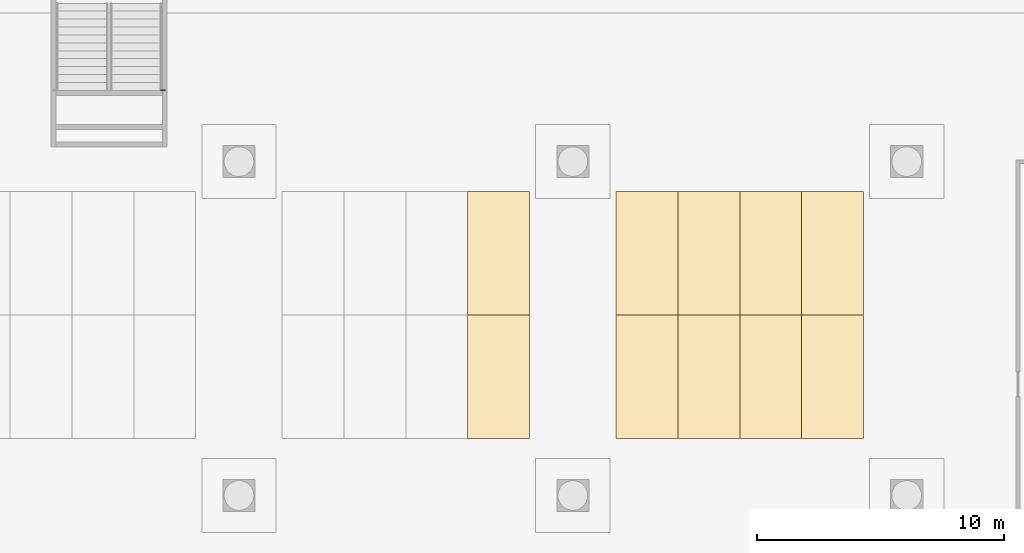
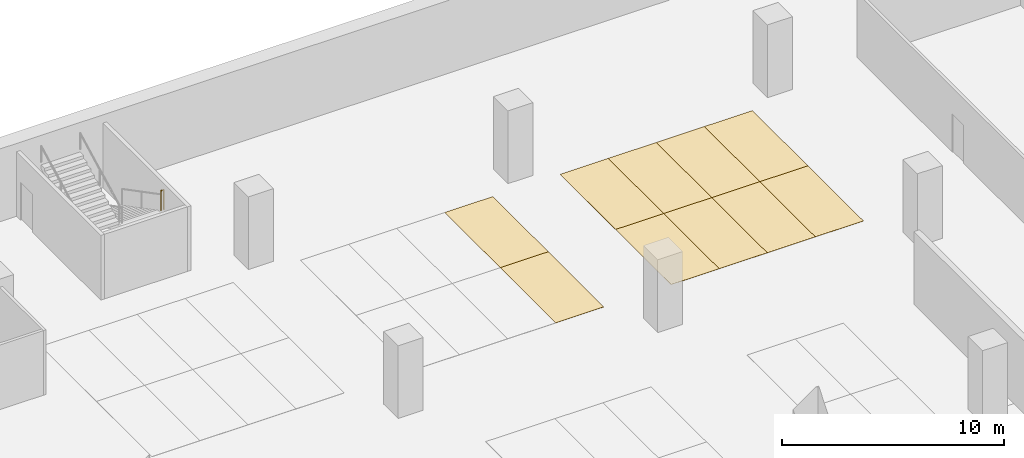
# One storey, part 37 of 40: 10 coverings, 1 railing.
"""IFC4 building model written with IfcOpenShell, lengths in metres."""

from ifc_helpers import new_model, si_unit, direction, frame, origin, origin_2d, place, context, subcontext, project, spatial, polyline, circle, outline, extrude, source, transform, mapped, material, layer, layer_set, type_object, element, save


model = new_model("IFC4")

# Units and contexts
model_context = context("Model", 3, precision=1e-05, world=origin(), true_north=direction((0.0, 1.0)))
body_context = subcontext(model_context, "Body", "Model", "MODEL_VIEW")
ifc_project = project(units=[si_unit("LENGTHUNIT", "METRE"), si_unit("AREAUNIT", "SQUARE_METRE"), si_unit("VOLUMEUNIT", "CUBIC_METRE"), si_unit("PLANEANGLEUNIT", "RADIAN"), si_unit("MASSUNIT", "GRAM", prefix="KILO")], contexts=[model_context])

# Site, building, storey
site_placement = place(None, origin())
site = spatial("IfcSite", under=ifc_project, at=site_placement, CompositionType="ELEMENT")
building_placement = place(site_placement, origin())
building = spatial("IfcBuilding", under=site, at=building_placement, Name="Altepetl Exchange Towers", CompositionType="ELEMENT")
storey_placement = place(building_placement, frame((0.0, 0.0, -8.0)))
storey = spatial("IfcBuildingStorey", under=building, at=storey_placement, Name="B2 Basement parking", CompositionType="ELEMENT", Elevation=-8.0)

# Coverings
ifc_material_1 = material(Name="Road marking paint")
ifc_layer = layer(ifc_material_1, 0.010009765625)
ifc_layer_set = layer_set([ifc_layer], Name="Road marking paint")
covering_type = type_object("IfcCoveringType", Name="Parking bay marking 2500 x 5000", PredefinedType="FLOORING", material=ifc_layer_set)
covering_1_placement = place(storey_placement, origin())
element("IfcCovering", 1, at=covering_1_placement, inside=storey, type_object=covering_type, Name="Parking bay B2-136", PredefinedType="FLOORING", context=body_context, shape_type="SweptSolid", body=[
    extrude(outline(polyline([(112.75, 78.800048828125), (115.25, 78.800048828125), (115.25, 83.800048828125), (112.75, 83.800048828125), (112.75, 78.800048828125)])), origin(), (0.0, 0.0, 1.0), 0.010009765625),
])
covering_2_placement = place(storey_placement, origin())
element("IfcCovering", 2, at=covering_2_placement, inside=storey, type_object=covering_type, Name="Parking bay B2-137", PredefinedType="FLOORING", context=body_context, shape_type="SweptSolid", body=[
    extrude(outline(polyline([(118.75, 78.800048828125), (121.25, 78.800048828125), (121.25, 83.800048828125), (118.75, 83.800048828125), (118.75, 78.800048828125)])), origin(), (0.0, 0.0, 1.0), 0.010009765625),
])
covering_3_placement = place(storey_placement, origin())
element("IfcCovering", 3, at=covering_3_placement, inside=storey, type_object=covering_type, Name="Parking bay B2-138", PredefinedType="FLOORING", context=body_context, shape_type="SweptSolid", body=[
    extrude(outline(polyline([(121.25, 78.800048828125), (123.75, 78.800048828125), (123.75, 83.800048828125), (121.25, 83.800048828125), (121.25, 78.800048828125)])), origin(), (0.0, 0.0, 1.0), 0.010009765625),
])
covering_4_placement = place(storey_placement, origin())
element("IfcCovering", 4, at=covering_4_placement, inside=storey, type_object=covering_type, Name="Parking bay B2-139", PredefinedType="FLOORING", context=body_context, shape_type="SweptSolid", body=[
    extrude(outline(polyline([(123.75, 78.800048828125), (126.25, 78.800048828125), (126.25, 83.800048828125), (123.75, 83.800048828125), (123.75, 78.800048828125)])), origin(), (0.0, 0.0, 1.0), 0.010009765625),
])
covering_5_placement = place(storey_placement, origin())
element("IfcCovering", 5, at=covering_5_placement, inside=storey, type_object=covering_type, Name="Parking bay B2-140", PredefinedType="FLOORING", context=body_context, shape_type="SweptSolid", body=[
    extrude(outline(polyline([(126.25, 78.800048828125), (128.75, 78.800048828125), (128.75, 83.800048828125), (126.25, 83.800048828125), (126.25, 78.800048828125)])), origin(), (0.0, 0.0, 1.0), 0.010009765625),
])
covering_6_placement = place(storey_placement, origin())
element("IfcCovering", 6, at=covering_6_placement, inside=storey, type_object=covering_type, Name="Parking bay B2-162", PredefinedType="FLOORING", context=body_context, shape_type="SweptSolid", body=[
    extrude(outline(polyline([(112.75, 83.800048828125), (115.25, 83.800048828125), (115.25, 88.800048828125), (112.75, 88.800048828125), (112.75, 83.800048828125)])), origin(), (0.0, 0.0, 1.0), 0.010009765625),
])
covering_7_placement = place(storey_placement, origin())
element("IfcCovering", 7, at=covering_7_placement, inside=storey, type_object=covering_type, Name="Parking bay B2-163", PredefinedType="FLOORING", context=body_context, shape_type="SweptSolid", body=[
    extrude(outline(polyline([(118.75, 83.800048828125), (121.25, 83.800048828125), (121.25, 88.800048828125), (118.75, 88.800048828125), (118.75, 83.800048828125)])), origin(), (0.0, 0.0, 1.0), 0.010009765625),
])
covering_8_placement = place(storey_placement, origin())
element("IfcCovering", 8, at=covering_8_placement, inside=storey, type_object=covering_type, Name="Parking bay B2-164", PredefinedType="FLOORING", context=body_context, shape_type="SweptSolid", body=[
    extrude(outline(polyline([(121.25, 83.800048828125), (123.75, 83.800048828125), (123.75, 88.800048828125), (121.25, 88.800048828125), (121.25, 83.800048828125)])), origin(), (0.0, 0.0, 1.0), 0.010009765625),
])
covering_9_placement = place(storey_placement, origin())
element("IfcCovering", 9, at=covering_9_placement, inside=storey, type_object=covering_type, Name="Parking bay B2-165", PredefinedType="FLOORING", context=body_context, shape_type="SweptSolid", body=[
    extrude(outline(polyline([(123.75, 83.800048828125), (126.25, 83.800048828125), (126.25, 88.800048828125), (123.75, 88.800048828125), (123.75, 83.800048828125)])), origin(), (0.0, 0.0, 1.0), 0.010009765625),
])
covering_10_placement = place(storey_placement, origin())
element("IfcCovering", 10, at=covering_10_placement, inside=storey, type_object=covering_type, Name="Parking bay B2-166", PredefinedType="FLOORING", context=body_context, shape_type="SweptSolid", body=[
    extrude(outline(polyline([(126.25, 83.800048828125), (128.75, 83.800048828125), (128.75, 88.800048828125), (126.25, 88.800048828125), (126.25, 83.800048828125)])), origin(), (0.0, 0.0, 1.0), 0.010009765625),
])

# Railing
ifc_material_2 = material(Name="Laminated glass and steel", Category="steel")
railing_type = type_object("IfcRailingType", Name="Hall gallery guard 1100", PredefinedType="GUARDRAIL", material=ifc_material_2)
shared_shape = source(origin(), body_context, "Body", "SweptSolid", [
    extrude(circle(Radius=0.02001953125, at=origin_2d()), origin(), (0.0, 0.0, 1.0), 1.050048828125),
])
railing_placement = place(storey_placement, frame((100.5, 92.8798828125, 2.0)))
element("IfcRailing", 11, at=railing_placement, inside=storey, type_object=railing_type, Name="rail:P:B2:ES6land0", PredefinedType="GUARDRAIL", context=body_context, shape_type="SweptSolid", body=[
    extrude(circle(Radius=0.02490234375, at=origin_2d()), frame((0.0, 0.0, 1.0751953125), z_axis=(-1.0, 0.0, 0.0), x_axis=(0.0, -1.0, 0.0)), (0.0, 0.0, 1.0), 0.14990234375),
    mapped(shared_shape, transform((0.0, 0.0, 0.0))),
    mapped(shared_shape, transform((-0.14990234375, 0.0, 0.0))),
])

save(model, "model.ifc")
